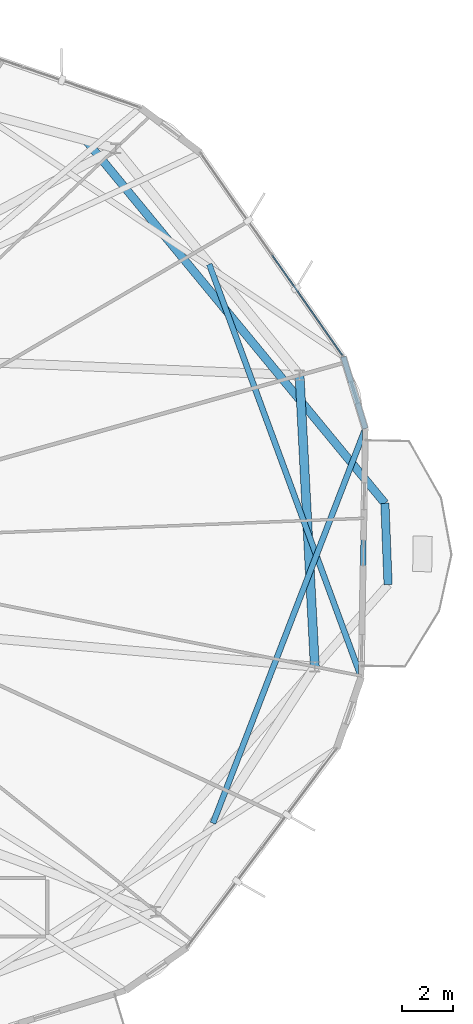
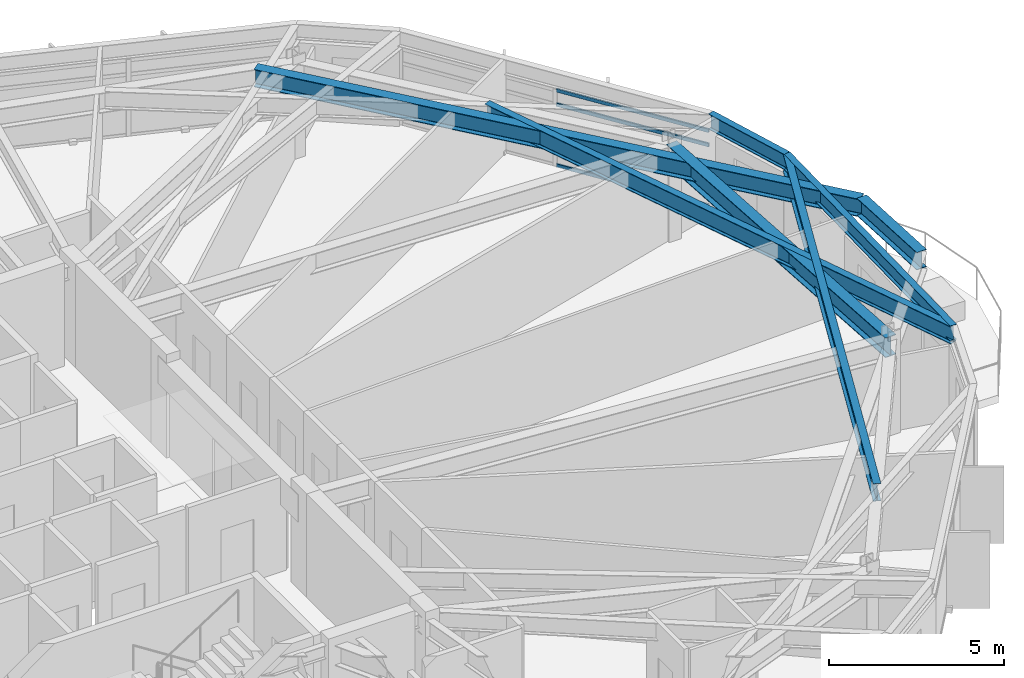
# One storey, part 13 of 29: 7 beams, 3 members, 1 element without a shape of its own.
"""IFC4 building model written with IfcOpenShell, lengths in metres."""

from ifc_helpers import new_model, si_unit, direction, frame, origin, origin_2d, place, context, subcontext, project, spatial, hollow_rectangle, i_section, extrude, material, layer, layer_set, material_profile, profile_set, type_object, element, aggregate, save


model = new_model("IFC4")

# Units and contexts
model_context = context("Model", 3, precision=1e-05, world=origin(), true_north=direction((0.0, 1.0)))
body_context = subcontext(model_context, "Body", "Model", "MODEL_VIEW")
ifc_project = project(units=[si_unit("LENGTHUNIT", "METRE"), si_unit("AREAUNIT", "SQUARE_METRE"), si_unit("VOLUMEUNIT", "CUBIC_METRE"), si_unit("PLANEANGLEUNIT", "RADIAN"), si_unit("MASSUNIT", "GRAM", prefix="KILO")], contexts=[model_context])

# Site, building, storey
site_placement = place(None, origin())
site = spatial("IfcSite", under=ifc_project, at=site_placement, CompositionType="ELEMENT")
building_placement = place(site_placement, origin())
building = spatial("IfcBuilding", under=site, at=building_placement, Name="Soratama Intermodal Tower", CompositionType="ELEMENT")
storey_placement = place(building_placement, frame((0.0, 0.0, 226.60009765625)))
storey = spatial("IfcBuildingStorey", under=building, at=storey_placement, Name="L57", CompositionType="ELEMENT", Elevation=226.60009765625)

# Beams
ifc_material_1 = material(Name="Structural steel ASTM A992 Grade 50", Category="steel")
ifc_material_profile_1 = material_profile(ifc_material_1, i_section(OverallWidth=0.324951171875, OverallDepth=0.615966796875, WebThickness=0.013916015625, FlangeThickness=0.021484375, FilletRadius=0.013916015625, at=origin_2d()), Name="W24X117")
ifc_profile_set_1 = profile_set([ifc_material_profile_1], Name="Structural steel ASTM A992 Grade 50")
beam_type_1 = type_object("IfcBeamType", Name="BM-CANT-W24X117", PredefinedType="BEAM", material=ifc_profile_set_1)
beam_1_placement = place(storey_placement, frame((65.85009765625, 23.419921875, 2.991943359375), z_axis=(-0.03899470896, 0.999239417093, 0.0), x_axis=(-0.999239417093, -0.03899470896, 0.0)))
element("IfcBeam", 1, at=beam_1_placement, inside=storey, type_object=beam_type_1, Name="BM-L57-CBHDR-1", PredefinedType="BEAM", context=body_context, shape_type="SweptSolid", body=[
    extrude(i_section(OverallWidth=0.324951171875, OverallDepth=0.615966796875, WebThickness=0.013916015625, FlangeThickness=0.021484375, FilletRadius=0.013916015625, at=origin_2d()), origin(), (0.0, 0.0, 1.0), 3.20556640625),
])
beam_2_placement = place(storey_placement, frame((53.97900390625, 40.884033203125, 2.991943359375), z_axis=(0.635763759084, -0.771883697609, 0.0), x_axis=(0.771883697609, 0.635763759084, 0.0)))
element("IfcBeam", 2, at=beam_2_placement, inside=storey, type_object=beam_type_1, Name="BM-L57-CANT-1-2", PredefinedType="BEAM", context=body_context, shape_type="SweptSolid", body=[
    extrude(i_section(OverallWidth=0.324951171875, OverallDepth=0.615966796875, WebThickness=0.013916015625, FlangeThickness=0.021484375, FilletRadius=0.013916015625, at=origin_2d()), origin(), (0.0, 0.0, 1.0), 18.4755859375),
])
ifc_material_2 = material(Name="Structural steel ASTM A992 Grade 50", Category="steel")
ifc_material_profile_2 = material_profile(ifc_material_2, i_section(OverallWidth=0.35498046875, OverallDepth=0.695068359375, WebThickness=0.015380859375, FlangeThickness=0.02490234375, FilletRadius=0.01611328125, at=origin_2d()), Name="W27X146")
ifc_profile_set_2 = profile_set([ifc_material_profile_2], Name="Structural steel ASTM A992 Grade 50")
beam_type_2 = type_object("IfcBeamType", Name="BM-RING-W27X146", PredefinedType="BEAM", material=ifc_profile_set_2)
beam_3_placement = place(storey_placement, frame((62.966064453125, 20.18603515625, 2.952392578125), z_axis=(-0.052286849724, 0.998632107108, 0.0), x_axis=(-0.998632107108, -0.052286849724, 0.0)))
element("IfcBeam", 3, at=beam_3_placement, inside=storey, type_object=beam_type_2, Name="BM-L57-RING-10", PredefinedType="BEAM", context=body_context, shape_type="SweptSolid", body=[
    extrude(i_section(OverallWidth=0.35498046875, OverallDepth=0.695068359375, WebThickness=0.015380859375, FlangeThickness=0.02490234375, FilletRadius=0.01611328125, at=origin_2d()), origin(), (0.0, 0.0, 1.0), 11.49560546875),
])
ifc_material_3 = material(Name="Structural steel ASTM A992 Grade 50", Category="steel")
ifc_material_profile_3 = material_profile(ifc_material_3, i_section(OverallWidth=0.2099609375, OverallDepth=0.537109375, WebThickness=0.010986328125, FlangeThickness=0.017333984375, FilletRadius=0.012939453125, at=origin_2d()), Name="W21X68")
ifc_profile_set_3 = profile_set([ifc_material_profile_3], Name="Structural steel ASTM A992 Grade 50")
beam_type_3 = type_object("IfcBeamType", Name="BM-SPN-W21X68", PredefinedType="SPANDREL", material=ifc_profile_set_3)
beam_4_placement = place(storey_placement, frame((64.7919921875, 19.76904296875, 3.031494140625), z_axis=(0.01674573254, 0.99985978039, 0.0), x_axis=(-0.99985978039, 0.01674573254, 0.0)))
element("IfcBeam", 4, at=beam_4_placement, inside=storey, type_object=beam_type_3, Name="BS-L57-F09", PredefinedType="SPANDREL", context=body_context, shape_type="SweptSolid", body=[
    extrude(i_section(OverallWidth=0.2099609375, OverallDepth=0.537109375, WebThickness=0.010986328125, FlangeThickness=0.017333984375, FilletRadius=0.012939453125, at=origin_2d()), origin(), (0.0, 0.0, 1.0), 9.79736328125),
])
beam_5_placement = place(storey_placement, frame((64.9560546875, 29.56494140625, 3.031494140625), z_axis=(-0.293021428362, 0.956105874117, 0.0), x_axis=(-0.956105874117, -0.293021428362, 0.0)))
element("IfcBeam", 5, at=beam_5_placement, inside=storey, type_object=beam_type_3, Name="BS-L57-CRN09", PredefinedType="SPANDREL", context=body_context, shape_type="SweptSolid", body=[
    extrude(i_section(OverallWidth=0.2099609375, OverallDepth=0.537109375, WebThickness=0.010986328125, FlangeThickness=0.017333984375, FilletRadius=0.012939453125, at=origin_2d()), origin(), (0.0, 0.0, 1.0), 2.966064453125),
])
ifc_material_4 = material(Name="Structural steel ASTM A992 Grade 50", Category="steel")
ifc_material_profile_4 = material_profile(ifc_material_4, i_section(OverallWidth=0.22900390625, OverallDepth=0.612060546875, WebThickness=0.011962890625, FlangeThickness=0.01953125, FilletRadius=0.012939453125, at=origin_2d()), Name="W24X84")
ifc_profile_set_4 = profile_set([ifc_material_profile_4], Name="Structural steel ASTM A992 Grade 50")
beam_type_4 = type_object("IfcBeamType", Name="BM-TIE-W24X84", PredefinedType="BEAM", material=ifc_profile_set_4)
beam_6_placement = place(storey_placement, frame((58.80810546875, 36.037109375, 2.993896484375), z_axis=(0.345217086696, -0.938522862297, 0.0), x_axis=(0.938522862297, 0.345217086696, 0.0)))
element("IfcBeam", 6, at=beam_6_placement, inside=storey, type_object=beam_type_4, Name="BM-L57-TIE0-09", PredefinedType="BEAM", context=body_context, shape_type="SweptSolid", body=[
    extrude(i_section(OverallWidth=0.22900390625, OverallDepth=0.612060546875, WebThickness=0.011962890625, FlangeThickness=0.01953125, FilletRadius=0.012939453125, at=origin_2d()), origin(), (0.0, 0.0, 1.0), 17.333740234375),
])
beam_7_placement = place(storey_placement, frame((58.955078125, 14.02392578125, 2.993896484375), z_axis=(0.360216116318, 0.932868881218, 0.0), x_axis=(-0.932868881218, 0.360216116318, 0.0)))
element("IfcBeam", 7, at=beam_7_placement, inside=storey, type_object=beam_type_4, Name="BM-L57-TIE1-09", PredefinedType="BEAM", context=body_context, shape_type="SweptSolid", body=[
    extrude(i_section(OverallWidth=0.22900390625, OverallDepth=0.612060546875, WebThickness=0.011962890625, FlangeThickness=0.01953125, FilletRadius=0.012939453125, at=origin_2d()), origin(), (0.0, 0.0, 1.0), 16.659423828125),
])

# Curtain wall, members
ifc_material_5 = material(Name="Double-glazed aluminium curtain wall", Category="aluminium")
ifc_layer = layer(ifc_material_5, 0.159912109375)
ifc_layer_set = layer_set([ifc_layer], Name="Double-glazed aluminium curtain wall")
curtain_wall_type = type_object("IfcCurtainWallType", Name="CW-SYS-5", PredefinedType="NOTDEFINED", material=ifc_layer_set)
curtain_wall_placement = place(storey_placement, origin())
curtain_wall = element("IfcCurtainWall", 8, at=curtain_wall_placement, inside=storey, type_object=curtain_wall_type, Name="L57 Faceted Curtain Wall F10", PredefinedType="NOTDEFINED")
ifc_material_6 = material(Name="Anodised aluminium AA 6063-T6", Category="aluminium")
ifc_material_profile_5 = material_profile(ifc_material_6, hollow_rectangle(XDim=0.06005859375, YDim=0.1298828125, WallThickness=0.0048828125, InnerFilletRadius=0.0048828125, OuterFilletRadius=0.010009765625, at=origin_2d()), Name="CWT130X60X5")
ifc_profile_set_5 = profile_set([ifc_material_profile_5], Name="Anodised aluminium AA 6063-T6")
member_type = type_object("IfcMemberType", Name="TT-CWT-2", PredefinedType="USERDEFINED", material=ifc_profile_set_5)
member_1_placement = place(storey_placement, frame((64.052490234375, 32.45068359375, 0.02978515625), z_axis=(-0.574147014845, 0.818752224635, 0.0), x_axis=(-0.818752224635, -0.574147014845, 0.0)))
member_1 = element("IfcMember", 9, at=member_1_placement, type_object=member_type, Name="CW-5 transom 1.1", ObjectType="TRANSOM", PredefinedType="USERDEFINED", context=body_context, shape_type="SweptSolid", body=[
    extrude(hollow_rectangle(XDim=0.06005859375, YDim=0.1298828125, WallThickness=0.0048828125, InnerFilletRadius=0.0048828125, OuterFilletRadius=0.010009765625, at=origin_2d()), origin(), (0.0, 0.0, 1.0), 4.808837890625),
])
member_2_placement = place(storey_placement, frame((64.052490234375, 32.45068359375, 2.14990234375), z_axis=(-0.574147014845, 0.818752224635, 0.0), x_axis=(-0.818752224635, -0.574147014845, 0.0)))
member_2 = element("IfcMember", 10, at=member_2_placement, type_object=member_type, Name="CW-5 transom 1.2", ObjectType="TRANSOM", PredefinedType="USERDEFINED", context=body_context, shape_type="SweptSolid", body=[
    extrude(hollow_rectangle(XDim=0.06005859375, YDim=0.1298828125, WallThickness=0.0048828125, InnerFilletRadius=0.0048828125, OuterFilletRadius=0.010009765625, at=origin_2d()), origin(), (0.0, 0.0, 1.0), 4.808837890625),
])
member_3_placement = place(storey_placement, frame((64.052490234375, 32.45068359375, 2.64892578125), z_axis=(-0.574147014845, 0.818752224635, 0.0), x_axis=(-0.818752224635, -0.574147014845, 0.0)))
member_3 = element("IfcMember", 11, at=member_3_placement, type_object=member_type, Name="CW-5 transom 1.3", ObjectType="TRANSOM", PredefinedType="USERDEFINED", context=body_context, shape_type="SweptSolid", body=[
    extrude(hollow_rectangle(XDim=0.06005859375, YDim=0.1298828125, WallThickness=0.0048828125, InnerFilletRadius=0.0048828125, OuterFilletRadius=0.010009765625, at=origin_2d()), origin(), (0.0, 0.0, 1.0), 4.808837890625),
])
aggregate(curtain_wall, [member_1, member_2, member_3])

save(model, "model.ifc")
